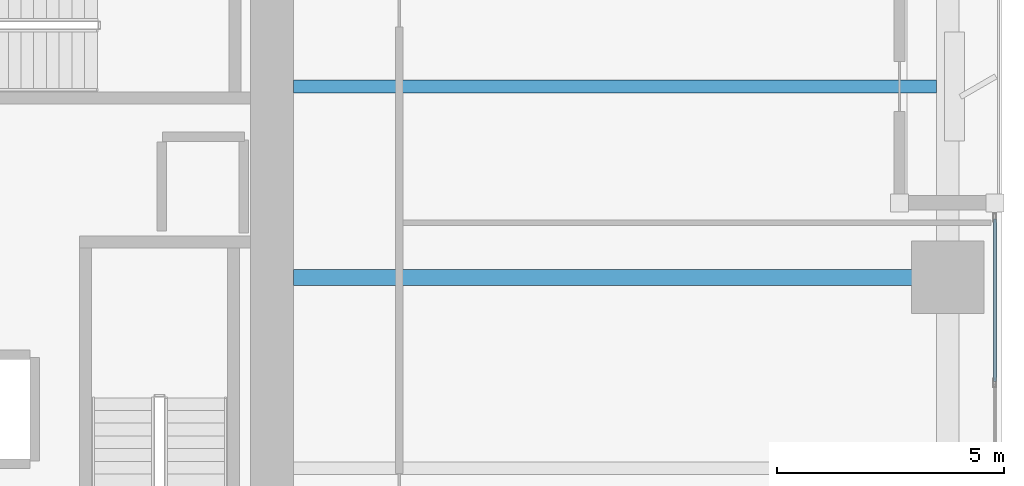
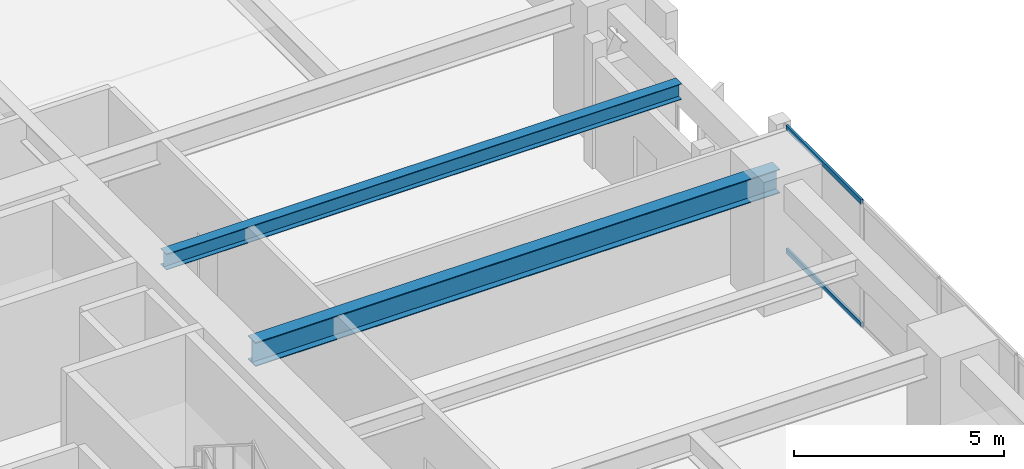
# One storey, part 9 of 28: 2 beams, 2 members, 1 element without a shape of its own.
"""IFC4 building model written with IfcOpenShell, lengths in metres."""

import ifcopenshell
import ifcopenshell.guid

model = None  # the IFC model being written
_history = None  # IfcOwnerHistory: only IFC2X3 demands one
_inside = {}  # id of a spatial element -> (the spatial element, [elements in it])
_under = {}  # id of a project, library or spatial element -> (it, [spatial elements below it])
_declared = {}  # id of a project -> (the project, [libraries it declares])
_typed = {}  # id of a type object -> (the type object, [elements of that type])
_made_of = {}  # id of a material, layer set ... -> (it, [elements and type objects made of it])


def new_model(schema):
    """Start an empty IFC model of exactly this schema.

    Asked for "IFC4X3", IfcOpenShell would pick the latest addendum, in which some entities
    have other attributes; the version numbers below select the first issue.
    IFC2X3 requires an IfcOwnerHistory on every rooted entity: one is made here for all.
    """
    global model, _history
    if schema == "IFC4X3":
        model = ifcopenshell.file(schema_version=(4, 3, 0, 0))
    else:
        model = ifcopenshell.file(schema=schema)
    _inside.clear()
    _under.clear()
    _declared.clear()
    _typed.clear()
    _made_of.clear()
    _history = None
    if model.schema == "IFC2X3":
        org = make("IfcOrganization", Name="unknown")
        user = make(
            "IfcPersonAndOrganization",
            ThePerson=make("IfcPerson", FamilyName="unknown"),
            TheOrganization=org,
        )
        app = make(
            "IfcApplication",
            ApplicationDeveloper=org,
            Version="unknown",
            ApplicationFullName="unknown",
            ApplicationIdentifier="unknown",
        )
        _history = make(
            "IfcOwnerHistory",
            OwningUser=user,
            OwningApplication=app,
            ChangeAction="ADDED",
            CreationDate=0,
        )
    return model


def make(cls, **values):
    """One entity of the class cls with the attributes given. An attribute that is None is left unset."""
    return model.create_entity(
        cls, **{name: value for name, value in values.items() if value is not None}
    )


def rooted(cls, **values):
    """An entity with a GlobalId (a new one), such as an element, a storey or a relation."""
    return make(cls, GlobalId=ifcopenshell.guid.new(), OwnerHistory=_history, **values)


def si_unit(unit_type, name, prefix=None):
    """IfcSIUnit, for example si_unit("LENGTHUNIT", "METRE", prefix="MILLI")."""
    return make("IfcSIUnit", UnitType=unit_type, Prefix=prefix, Name=name)


def assignment(units):
    """IfcUnitAssignment: the units of a project."""
    return None if units is None else make("IfcUnitAssignment", Units=units)


def point(xyz):
    """IfcCartesianPoint."""
    return None if xyz is None else make("IfcCartesianPoint", Coordinates=xyz)


def direction(xyz):
    """IfcDirection."""
    return None if xyz is None else make("IfcDirection", DirectionRatios=xyz)


def frame(location, z_axis=None, x_axis=None):
    """IfcAxis2Placement3D, a coordinate frame: its origin and axes. An axis left out is left unset."""
    return make(
        "IfcAxis2Placement3D",
        Location=point(location),
        Axis=direction(z_axis),
        RefDirection=direction(x_axis),
    )


def frame_2d(location, x_axis=None):
    """IfcAxis2Placement2D, a coordinate frame in the plane: its origin and x axis."""
    return make(
        "IfcAxis2Placement2D", Location=point(location), RefDirection=direction(x_axis)
    )


def origin():
    """The frame at (0, 0, 0) with its axes left unset."""
    return frame((0.0, 0.0, 0.0))


def origin_2d():
    """The frame at (0, 0) in the plane with its x axis left unset."""
    return frame_2d((0.0, 0.0))


def place(relative_to, where):
    """IfcLocalPlacement: puts the frame where relative to a parent placement (None: the world)."""
    return make(
        "IfcLocalPlacement", PlacementRelTo=relative_to, RelativePlacement=where
    )


def context(
    kind, dimensions, precision=None, world=None, true_north=None, identifier=None
):
    """IfcGeometricRepresentationContext, for example the 3D "Model" context."""
    return make(
        "IfcGeometricRepresentationContext",
        ContextIdentifier=identifier,
        ContextType=kind,
        CoordinateSpaceDimension=dimensions,
        Precision=precision,
        WorldCoordinateSystem=world,
        TrueNorth=true_north,
    )


def subcontext(parent, identifier, kind, view, scale=None):
    """IfcGeometricRepresentationSubContext, for example "Body" below "Model"."""
    return make(
        "IfcGeometricRepresentationSubContext",
        ContextIdentifier=identifier,
        ContextType=kind,
        ParentContext=parent,
        TargetScale=scale,
        TargetView=view,
    )


def project(units=None, contexts=None):
    """IfcProject with its units and contexts."""
    return rooted(
        "IfcProject",
        Name="project",
        RepresentationContexts=contexts,
        UnitsInContext=assignment(units),
    )


def spatial(cls, under=None, at=None, **own):
    """A site, building, storey or space (cls), placed at a placement, below another one or the project."""
    s = rooted(cls, ObjectPlacement=at, **own)
    if under is not None:
        _under.setdefault(under.id(), (under, []))[1].append(s)
    return s


def profile(cls, at=None, kind="AREA", **sizes):
    """A parametric profile (cls). Its sizes go by their IFC names, for example OverallWidth=200.0."""
    return make(cls, ProfileType=kind, Position=at, **sizes)


def hollow_rectangle(**sizes):
    """IfcRectangleHollowProfileDef."""
    return profile("IfcRectangleHollowProfileDef", **sizes)


def i_section(**sizes):
    """IfcIShapeProfileDef."""
    return profile("IfcIShapeProfileDef", **sizes)


def extrude(swept, where, along, depth):
    """IfcExtrudedAreaSolid: the profile swept, set in the frame where, extruded along a direction by depth."""
    return make(
        "IfcExtrudedAreaSolid",
        SweptArea=swept,
        Position=where,
        ExtrudedDirection=direction(along),
        Depth=depth,
    )


def shape(context_of_items, identifier, shape_type, items):
    """IfcShapeRepresentation: the items that make up one representation, for example the "Body"."""
    return make(
        "IfcShapeRepresentation",
        ContextOfItems=context_of_items,
        RepresentationIdentifier=identifier,
        RepresentationType=shape_type,
        Items=items,
    )


def material(Name=None, Category=None):
    """IfcMaterial."""
    return make("IfcMaterial", Name=Name, Category=Category)


def layer(
    of_material, thickness, ventilated=None, Name=None, Category=None, Priority=None
):
    """IfcMaterialLayer: one layer of a wall or slab, of a material (None: an air gap)."""
    return make(
        "IfcMaterialLayer",
        Material=of_material,
        LayerThickness=thickness,
        IsVentilated=ventilated,
        Name=Name,
        Category=Category,
        Priority=Priority,
    )


def layer_set(layers, Name=None):
    """IfcMaterialLayerSet."""
    return make("IfcMaterialLayerSet", MaterialLayers=layers, LayerSetName=Name)


def material_profile(
    of_material, cross_section, Name=None, Category=None, Priority=None
):
    """IfcMaterialProfile: a cross section and its material."""
    return make(
        "IfcMaterialProfile",
        Name=Name,
        Material=of_material,
        Profile=cross_section,
        Priority=Priority,
        Category=Category,
    )


def profile_set(profiles, Name=None, composite=None):
    """IfcMaterialProfileSet."""
    return make(
        "IfcMaterialProfileSet",
        Name=Name,
        MaterialProfiles=profiles,
        CompositeProfile=composite,
    )


def made_of(thing, what):
    """Note that an element or type object is made of a material, layer set ...; save() writes the relation."""
    if what is not None:
        _made_of.setdefault(what.id(), (what, []))[1].append(thing)
    return thing


def type_object(cls, material=None, **own):
    """A type object (cls), such as IfcWallType, which elements share."""
    return made_of(rooted(cls, **own), material)


def element(
    cls,
    number,
    at=None,
    inside=None,
    cuts=None,
    type_object=None,
    material=None,
    context=None,
    identifier="Body",
    shape_type=None,
    held_by="IfcProductDefinitionShape",
    body=None,
    shapes=None,
    **own,
):
    """One element of the class cls, such as IfcWall. Its Tag is "e" and its number.

    at: its placement. inside: the storey or other place that contains it. cuts: it is an
    opening in that element (IfcRelVoidsElement). A single representation is given by context,
    identifier, shape_type and body (its items); several are given by shapes. held_by: the class
    of the entity that holds the representations. save() writes the other relations.
    """
    e = rooted(cls, Tag="e%d" % number, ObjectPlacement=at, **own)
    if body is not None:
        shapes = [shape(context, identifier, shape_type, body)]
    if shapes is not None:
        e.Representation = make(held_by, Representations=shapes)
    if inside is not None:
        _inside.setdefault(inside.id(), (inside, []))[1].append(e)
    if cuts is not None:
        rooted(
            "IfcRelVoidsElement", RelatingBuildingElement=cuts, RelatedOpeningElement=e
        )
    if type_object is not None:
        _typed.setdefault(type_object.id(), (type_object, []))[1].append(e)
    return made_of(e, material)


def aggregate(whole, parts):
    """IfcRelAggregates: a whole, such as a stair, and the parts it consists of."""
    return rooted("IfcRelAggregates", RelatingObject=whole, RelatedObjects=parts)


def save(model, path):
    """Write the relations noted so far, then the file.

    IfcRelAggregates (storeys below a building ...), IfcRelContainedInSpatialStructure (elements
    in a storey), IfcRelDefinesByType, IfcRelAssociatesMaterial and IfcRelDeclares: one each for
    every whole, place, type object, material and project.
    """
    for whole, parts in _under.values():
        aggregate(whole, parts)
    for where, things in _inside.values():
        rooted(
            "IfcRelContainedInSpatialStructure",
            RelatedElements=things,
            RelatingStructure=where,
        )
    for kind, things in _typed.values():
        rooted("IfcRelDefinesByType", RelatedObjects=things, RelatingType=kind)
    for what, things in _made_of.values():
        rooted("IfcRelAssociatesMaterial", RelatedObjects=things, RelatingMaterial=what)
    for by, libraries in _declared.values():
        rooted("IfcRelDeclares", RelatingContext=by, RelatedDefinitions=libraries)
    model.write(path)


model = new_model("IFC4")

# Units and contexts
model_context = context("Model", 3, precision=1e-05, world=origin(), true_north=direction((0.0, 1.0)))
body_context = subcontext(model_context, "Body", "Model", "MODEL_VIEW")
ifc_project = project(units=[si_unit("LENGTHUNIT", "METRE"), si_unit("AREAUNIT", "SQUARE_METRE"), si_unit("VOLUMEUNIT", "CUBIC_METRE"), si_unit("PLANEANGLEUNIT", "RADIAN"), si_unit("MASSUNIT", "GRAM", prefix="KILO")], contexts=[model_context])

# Site, building, storey
site_placement = place(None, origin())
site = spatial("IfcSite", under=ifc_project, at=site_placement, CompositionType="ELEMENT")
building_placement = place(site_placement, origin())
building = spatial("IfcBuilding", under=site, at=building_placement, Name="Kiyonajd Concourse Tower", CompositionType="ELEMENT")
storey_placement = place(building_placement, frame((0.0, 0.0, 33.300048828125)))
storey = spatial("IfcBuildingStorey", under=building, at=storey_placement, Name="L09", CompositionType="ELEMENT", Elevation=33.300048828125)

# Beams
ifc_material_1 = material(Name="Steel ASTM A992 Grade 50", Category="steel")
ifc_material_profile_1 = material_profile(ifc_material_1, i_section(OverallWidth=0.280029296875, OverallDepth=0.462890625, WebThickness=0.0107421875, FlangeThickness=0.017333984375, at=origin_2d()), Name="W460X113")
ifc_profile_set_1 = profile_set([ifc_material_profile_1], Name="Steel ASTM A992 Grade 50")
beam_type_1 = type_object("IfcBeamType", Name="BM-JST-460A", PredefinedType="JOIST", material=ifc_profile_set_1)
beam_1_placement = place(storey_placement, frame((63.60009765625, 40.199951171875, 3.408447265625), z_axis=(1.0, 0.0, 0.0), x_axis=(0.0, 1.0, 0.0)))
element("IfcBeam", 1, at=beam_1_placement, inside=storey, type_object=beam_type_1, Name="L09 East Secondary Floor Joist", PredefinedType="JOIST", context=body_context, shape_type="SweptSolid", body=[
    extrude(i_section(OverallWidth=0.280029296875, OverallDepth=0.462890625, WebThickness=0.0107421875, FlangeThickness=0.017333984375, at=origin_2d()), origin(), (0.0, 0.0, 1.0), 14.14990234375),
])
ifc_material_profile_2 = material_profile(ifc_material_1, i_section(OverallWidth=0.35498046875, OverallDepth=0.695068359375, WebThickness=0.015380859375, FlangeThickness=0.02490234375, at=origin_2d()), Name="W690X217")
ifc_profile_set_2 = profile_set([ifc_material_profile_2], Name="Steel ASTM A992 Grade 50")
beam_type_2 = type_object("IfcBeamType", Name="BM-TWR-690", PredefinedType="BEAM", material=ifc_profile_set_2)
beam_2_placement = place(storey_placement, frame((63.60009765625, 36.0, 3.29248046875), z_axis=(1.0, 0.0, 0.0), x_axis=(0.0, 1.0, 0.0)))
element("IfcBeam", 2, at=beam_2_placement, inside=storey, type_object=beam_type_2, Name="L09 East Lease Girder", PredefinedType="BEAM", context=body_context, shape_type="SweptSolid", body=[
    extrude(i_section(OverallWidth=0.35498046875, OverallDepth=0.695068359375, WebThickness=0.015380859375, FlangeThickness=0.02490234375, at=origin_2d()), origin(), (0.0, 0.0, 1.0), 14.39990234375),
])

# Curtain wall, members
ifc_material_2 = material(Name="Thermally Broken Anodised Aluminium", Category="aluminium")
ifc_layer = layer(ifc_material_2, 0.179931640625)
ifc_layer_set = layer_set([ifc_layer], Name="Thermally Broken Anodised Aluminium")
curtain_wall_type = type_object("IfcCurtainWallType", Name="CW-SYS-02", PredefinedType="NOTDEFINED", material=ifc_layer_set)
curtain_wall_placement = place(storey_placement, origin())
curtain_wall = element("IfcCurtainWall", 3, at=curtain_wall_placement, inside=storey, type_object=curtain_wall_type, Name="L09 Unitised Curtain Wall CW2", PredefinedType="NOTDEFINED")
ifc_material_profile_3 = material_profile(ifc_material_2, hollow_rectangle(XDim=0.06494140625, YDim=0.139892578125, WallThickness=0.00390625, at=origin_2d()), Name="TRAN-65x140")
ifc_profile_set_3 = profile_set([ifc_material_profile_3], Name="Thermally Broken Anodised Aluminium")
member_type = type_object("IfcMemberType", Name="MB-CW-TRAN1", PredefinedType="USERDEFINED", material=ifc_profile_set_3)
member_1_placement = place(storey_placement, frame((79.0400390625, 37.284912109375, 0.032470703125), z_axis=(0.0, -1.0, 0.0), x_axis=(1.0, 0.0, 0.0)))
member_1 = element("IfcMember", 4, at=member_1_placement, type_object=member_type, Name="CW2 transom 1.1", ObjectType="TRANSOM", PredefinedType="USERDEFINED", context=body_context, shape_type="SweptSolid", body=[
    extrude(hollow_rectangle(XDim=0.06494140625, YDim=0.139892578125, WallThickness=0.00390625, at=origin_2d()), origin(), (0.0, 0.0, 1.0), 3.57568359375),
])
member_2_placement = place(storey_placement, frame((79.0400390625, 37.284912109375, 3.607421875), z_axis=(0.0, -1.0, 0.0), x_axis=(1.0, 0.0, 0.0)))
member_2 = element("IfcMember", 5, at=member_2_placement, type_object=member_type, Name="CW2 transom 1.2", ObjectType="TRANSOM", PredefinedType="USERDEFINED", context=body_context, shape_type="SweptSolid", body=[
    extrude(hollow_rectangle(XDim=0.06494140625, YDim=0.139892578125, WallThickness=0.00390625, at=origin_2d()), origin(), (0.0, 0.0, 1.0), 3.57568359375),
])
aggregate(curtain_wall, [member_1, member_2])

save(model, "model.ifc")
